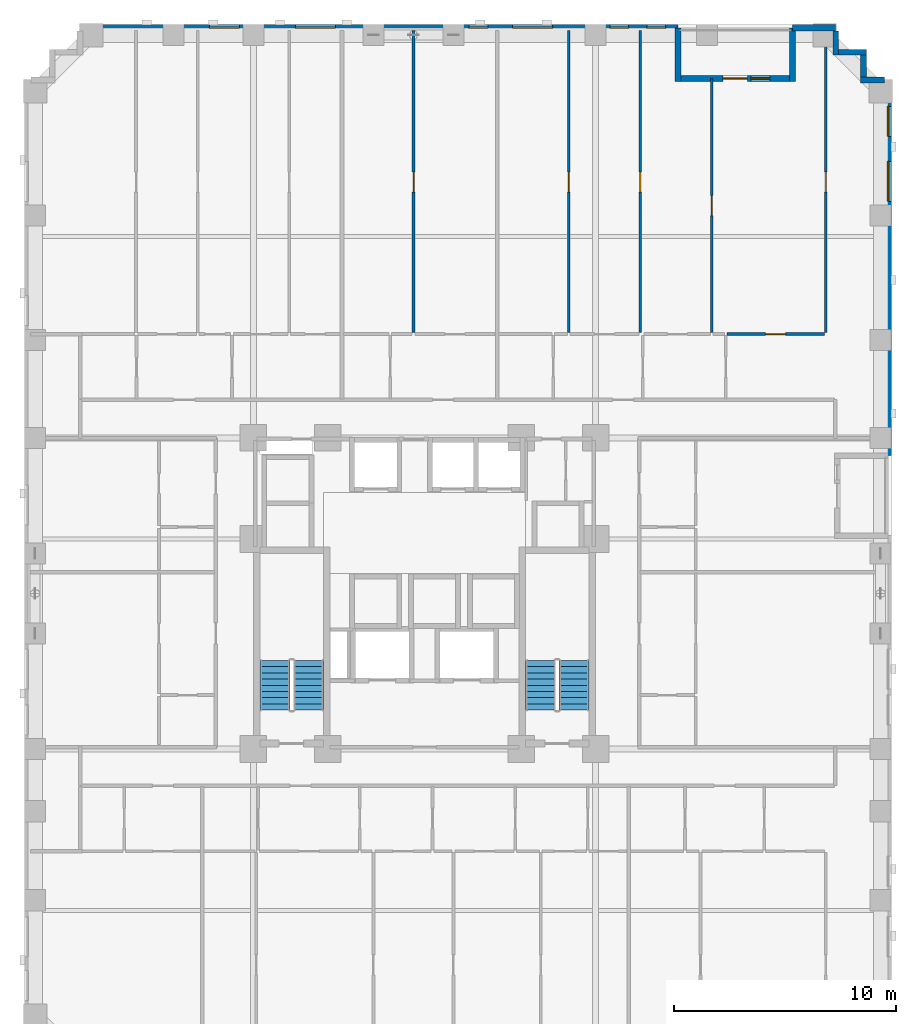
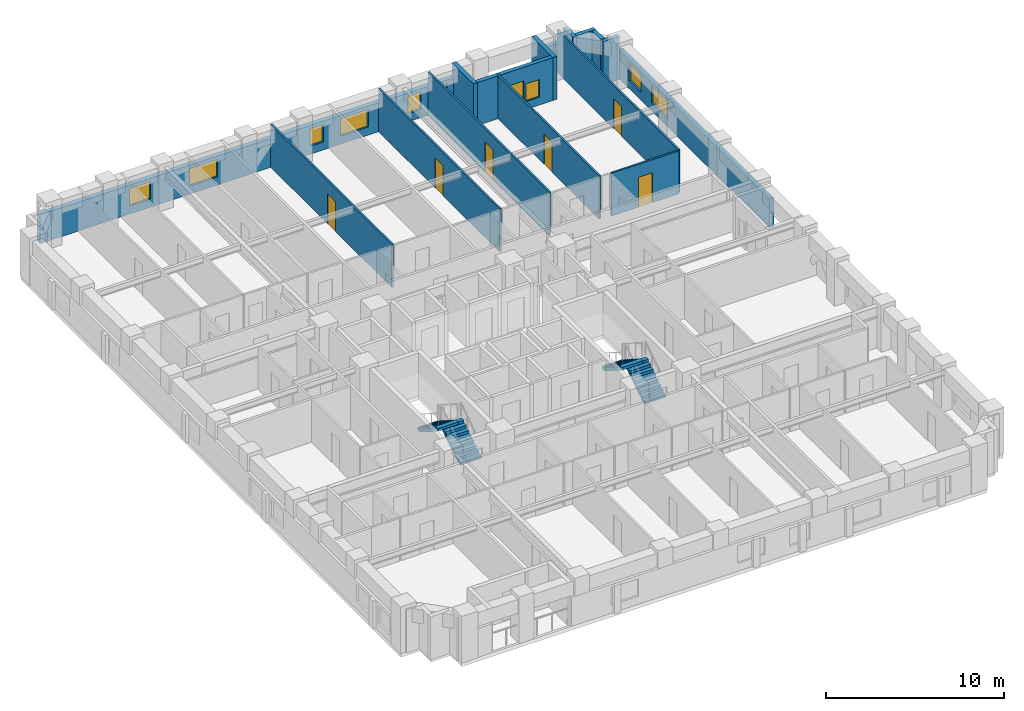
# One storey, part 8 of 13: 16 walls, 9 windows, 7 doors, 4 stair flights, 16 openings, 2 elements without a shape of their own.
"""IFC4 building model written with IfcOpenShell, lengths in metres."""

from ifc_helpers import new_model, si_unit, derived_unit, direction, frame, frame_2d, origin, place, context, subcontext, project, spatial, polyline, rectangle, outline, extrude, material, layer, layer_set, type_object, element, fill, aggregate, save


model = new_model("IFC4")

# Units and contexts
model_context = context("Model", 3, precision=1e-05, world=origin(), true_north=direction((0.0, 1.0)))
body_context = subcontext(model_context, "Body", "Model", "MODEL_VIEW")
ifc_project = project(units=[si_unit("LENGTHUNIT", "METRE"), si_unit("AREAUNIT", "SQUARE_METRE"), si_unit("VOLUMEUNIT", "CUBIC_METRE"), si_unit("PLANEANGLEUNIT", "RADIAN"), si_unit("MASSUNIT", "GRAM", prefix="KILO"), derived_unit("THERMALTRANSMITTANCEUNIT", [(si_unit("MASSUNIT", "GRAM", prefix="KILO"), 1), (si_unit("TIMEUNIT", "SECOND"), -3), (si_unit("THERMODYNAMICTEMPERATUREUNIT", "KELVIN"), -1)])], contexts=[model_context])

# Site, building, storey
site_placement = place(None, origin())
site = spatial("IfcSite", under=ifc_project, at=site_placement, CompositionType="ELEMENT")
building_placement = place(site_placement, origin())
building = spatial("IfcBuilding", under=site, at=building_placement, Name="Korrvale Station Residences", CompositionType="ELEMENT")
storey_placement = place(building_placement, frame((0.0, 0.0, 35.39990234375)))
storey = spatial("IfcBuildingStorey", under=building, at=storey_placement, Name="L08", CompositionType="ELEMENT", Elevation=35.39990234375)

# Wall
ifc_material_1 = material(Name="Precast concrete C45/55", Category="concrete")
ifc_layer_1 = layer(ifc_material_1, 0.260009765625, Name="Precast concrete C45/55")
ifc_layer_set_1 = layer_set([ifc_layer_1], Name="Precast concrete C45/55")
wall_type_1 = type_object("IfcWallType", Name="WAL-EXT-LOG260", PredefinedType="SOLIDWALL", material=ifc_layer_set_1)
wall_1_placement = place(storey_placement, frame((36.89990234375, 47.43994140625, 0.0), z_axis=(0.0, 0.0, 1.0), x_axis=(0.0, -1.0, 0.0)))
element("IfcWall", 1, at=wall_1_placement, inside=storey, type_object=wall_type_1, Name="L08 Recessed Loggia Wall BAL-L08-N1-L", PredefinedType="SOLIDWALL", context=body_context, shape_type="SweptSolid", body=[
    extrude(rectangle(XDim=2.39990234375, YDim=0.260009765625, at=frame_2d((1.199951171875, 0.0))), origin(), (0.0, 0.0, 1.0), 2.940185546875),
])

# Wall, openings, door, window
wall_2_placement = place(storey_placement, frame((37.033935546875, 45.169921875, 0.0), z_axis=(0.0, 0.0, 1.0), x_axis=(1.0, 0.0, 0.0)))
wall_2 = element("IfcWall", 2, at=wall_2_placement, inside=storey, type_object=wall_type_1, Name="L08 Recessed Loggia Wall BAL-L08-N1-B", PredefinedType="SOLIDWALL", context=body_context, shape_type="SweptSolid", body=[
    extrude(rectangle(XDim=4.882080078125, YDim=0.260009765625, at=frame_2d((2.44091796875, 0.0))), origin(), (0.0, 0.0, 1.0), 2.940185546875),
])
opening_1_placement = place(wall_2_placement, frame((1.89111328125, 0.0, 0.0)))
opening_1 = element("IfcOpeningElement", 3, at=opening_1_placement, cuts=wall_2, Name="Opening BD-01", PredefinedType="OPENING", context=body_context, shape_type="SweptSolid", body=[
    extrude(rectangle(XDim=1.10009765625, YDim=2.0, at=frame_2d((0.550048828125, 1.0))), frame((0.0, 0.14013671875, 0.0), z_axis=(0.0, -1.0, 0.0), x_axis=(1.0, 0.0, 0.0)), (0.0, 0.0, 1.0), 0.280029296875),
])
opening_2_placement = place(wall_2_placement, frame((3.15087890625, 0.0, 0.550048828125)))
opening_2 = element("IfcOpeningElement", 4, at=opening_2_placement, cuts=wall_2, Name="Opening W-11", PredefinedType="OPENING", context=body_context, shape_type="SweptSolid", body=[
    extrude(rectangle(XDim=0.85009765625, YDim=1.199951171875, at=frame_2d((0.425048828125, 0.60009765625))), frame((0.0, 0.14013671875, 0.0), z_axis=(0.0, -1.0, 0.0), x_axis=(1.0, 0.0, 0.0)), (0.0, 0.0, 1.0), 0.280029296875),
])
ifc_material_2 = material(Name="Exterior thermally broken aluminium glazed balcony door", Category="aluminium")
door_type_1 = type_object("IfcDoorType", Name="DR-EXT-BAL", OperationType="NOTDEFINED", PredefinedType="DOOR", material=ifc_material_2)
door_1_placement = place(opening_1_placement, origin())
door_1 = element("IfcDoor", 5, at=door_1_placement, inside=storey, type_object=door_type_1, Name="L08 Loggia Balcony Door BAL-L08-N1", OperationType="SINGLE_SWING_RIGHT", OverallHeight=2.0, OverallWidth=1.10009765625, PredefinedType="DOOR", context=body_context, shape_type="SweptSolid", body=[
    extrude(rectangle(XDim=1.10009765625, YDim=2.0, at=frame_2d((0.550048828125, 1.0))), frame((0.0, 0.02490234375, 0.0), z_axis=(0.0, -1.0, 0.0), x_axis=(1.0, 0.0, 0.0)), (0.0, 0.0, 1.0), 0.050048828125),
])
fill(opening_1, door_1)
ifc_material_3 = material(Name="Thermally broken aluminium frame with triple low-e glazing", Category="aluminium")
window_type_1 = type_object("IfcWindowType", Name="WIN-W11", PartitioningType="SINGLE_PANEL", PredefinedType="WINDOW", material=ifc_material_3)
window_1_placement = place(opening_2_placement, origin())
window_1 = element("IfcWindow", 6, at=window_1_placement, inside=storey, type_object=window_type_1, Name="L08 Punched Window 18", OverallHeight=1.199951171875, OverallWidth=0.85009765625, PartitioningType="SINGLE_PANEL", PredefinedType="WINDOW", context=body_context, shape_type="SweptSolid", body=[
    extrude(rectangle(XDim=0.85009765625, YDim=1.199951171875, at=frame_2d((0.425048828125, 0.60009765625))), frame((0.0, 0.030029296875, 0.0), z_axis=(0.0, -1.0, 0.0), x_axis=(1.0, 0.0, 0.0)), (0.0, 0.0, 1.0), 0.06005859375),
])
fill(opening_2, window_1)

# Walls
wall_3_placement = place(storey_placement, frame((42.050048828125, 45.0400390625, 0.0), z_axis=(0.0, 0.0, 1.0), x_axis=(0.0, 1.0, 0.0)))
element("IfcWall", 7, at=wall_3_placement, inside=storey, type_object=wall_type_1, Name="L08 Recessed Loggia Wall BAL-L08-N1-R", PredefinedType="SOLIDWALL", context=body_context, shape_type="SweptSolid", body=[
    extrude(rectangle(XDim=2.39990234375, YDim=0.260009765625, at=frame_2d((1.199951171875, 0.0))), origin(), (0.0, 0.0, 1.0), 2.940185546875),
])
wall_4_placement = place(storey_placement, frame((44.0, 47.298095703125, 0.0), z_axis=(0.0, 0.0, 1.0), x_axis=(0.0, -1.0, 0.0)))
element("IfcWall", 8, at=wall_4_placement, inside=storey, type_object=wall_type_1, Name="L08 Serrated Corner Precast Step NE-1", PredefinedType="SOLIDWALL", context=body_context, shape_type="SweptSolid", body=[
    extrude(rectangle(XDim=1.078125, YDim=0.260009765625, at=frame_2d((0.5390625, 0.0))), origin(), (0.0, 0.0, 1.0), 2.940185546875),
])
wall_5_placement = place(storey_placement, frame((44.132080078125, 46.35009765625, 0.0), z_axis=(0.0, 0.0, 1.0), x_axis=(1.0, 0.0, 0.0)))
element("IfcWall", 9, at=wall_5_placement, inside=storey, type_object=wall_type_1, Name="L08 Serrated Corner Precast Step NE-2", PredefinedType="SOLIDWALL", context=body_context, shape_type="SweptSolid", body=[
    extrude(rectangle(XDim=1.247802734375, YDim=0.260009765625, at=frame_2d((0.6240234375, 0.0))), origin(), (0.0, 0.0, 1.0), 2.940185546875),
])
wall_6_placement = place(storey_placement, frame((45.25, 46.218017578125, 0.0), z_axis=(0.0, 0.0, 1.0), x_axis=(0.0, -1.0, 0.0)))
element("IfcWall", 10, at=wall_6_placement, inside=storey, type_object=wall_type_1, Name="L08 Serrated Corner Precast Step NE-3", PredefinedType="SOLIDWALL", context=body_context, shape_type="SweptSolid", body=[
    extrude(rectangle(XDim=0.986083984375, YDim=0.260009765625, at=frame_2d((0.4931640625, 0.0))), origin(), (0.0, 0.0, 1.0), 2.940185546875),
])
wall_7_placement = place(storey_placement, frame((45.1201171875, 45.10009765625, 0.0), z_axis=(0.0, 0.0, 1.0), x_axis=(1.0, 0.0, 0.0)))
element("IfcWall", 11, at=wall_7_placement, inside=storey, type_object=wall_type_1, Name="L08 Serrated Corner Precast Step NE-4", PredefinedType="SOLIDWALL", context=body_context, shape_type="SweptSolid", body=[
    extrude(rectangle(XDim=1.077880859375, YDim=0.260009765625, at=frame_2d((0.5390625, 0.0))), origin(), (0.0, 0.0, 1.0), 2.940185546875),
])

# Wall, openings, windows
ifc_layer_2 = layer(ifc_material_1, 0.300048828125, Name="Precast concrete C45/55")
ifc_layer_set_2 = layer_set([ifc_layer_2], Name="Precast concrete C45/55")
wall_type_2 = type_object("IfcWallType", Name="WAL-EXT-PC300", PredefinedType="SOLIDWALL", material=ifc_layer_set_2)
wall_8_placement = place(storey_placement, frame((10.0, 47.449951171875, 0.0), z_axis=(0.0, 0.0, 1.0), x_axis=(1.0, 0.0, 0.0)))
wall_8 = element("IfcWall", 12, at=wall_8_placement, inside=storey, type_object=wall_type_2, Name="L08 North Exterior Precast Wall 1", PredefinedType="SOLIDWALL", context=body_context, shape_type="SweptSolid", body=[
    extrude(rectangle(XDim=26.89990234375, YDim=0.300048828125, at=frame_2d((13.449951171875, 0.0))), origin(), (0.0, 0.0, 1.0), 1.97509765625),
])
opening_3_placement = place(wall_8_placement, frame((5.81494140625, 0.0, 0.550048828125)))
opening_3 = element("IfcOpeningElement", 13, at=opening_3_placement, cuts=wall_8, Name="Opening W-10", PredefinedType="OPENING", context=body_context, shape_type="SweptSolid", body=[
    extrude(rectangle(XDim=1.35009765625, YDim=1.199951171875, at=frame_2d((0.675048828125, 0.60009765625))), frame((0.0, 0.16015625, 0.0), z_axis=(0.0, -1.0, 0.0), x_axis=(1.0, 0.0, 0.0)), (0.0, 0.0, 1.0), 0.320068359375),
])
opening_4_placement = place(wall_8_placement, frame((9.694091796875, 0.0, 0.550048828125)))
opening_4 = element("IfcOpeningElement", 14, at=opening_4_placement, cuts=wall_8, Name="Opening W-09", PredefinedType="OPENING", context=body_context, shape_type="SweptSolid", body=[
    extrude(rectangle(XDim=1.800048828125, YDim=1.199951171875, at=frame_2d((0.89990234375, 0.60009765625))), frame((0.0, 0.16015625, 0.0), z_axis=(0.0, -1.0, 0.0), x_axis=(1.0, 0.0, 0.0)), (0.0, 0.0, 1.0), 0.320068359375),
])
opening_5_placement = place(wall_8_placement, frame((17.5, 0.0, 0.550048828125)))
opening_5 = element("IfcOpeningElement", 15, at=opening_5_placement, cuts=wall_8, Name="Opening W-11", PredefinedType="OPENING", context=body_context, shape_type="SweptSolid", body=[
    extrude(rectangle(XDim=0.85009765625, YDim=1.199951171875, at=frame_2d((0.425048828125, 0.60009765625))), frame((0.0, 0.16015625, 0.0), z_axis=(0.0, -1.0, 0.0), x_axis=(1.0, 0.0, 0.0)), (0.0, 0.0, 1.0), 0.320068359375),
])
opening_6_placement = place(wall_8_placement, frame((19.462890625, 0.0, 0.550048828125)))
opening_6 = element("IfcOpeningElement", 16, at=opening_6_placement, cuts=wall_8, Name="Opening W-09", PredefinedType="OPENING", context=body_context, shape_type="SweptSolid", body=[
    extrude(rectangle(XDim=1.800048828125, YDim=1.199951171875, at=frame_2d((0.89990234375, 0.60009765625))), frame((0.0, 0.16015625, 0.0), z_axis=(0.0, -1.0, 0.0), x_axis=(1.0, 0.0, 0.0)), (0.0, 0.0, 1.0), 0.320068359375),
])
opening_7_placement = place(wall_8_placement, frame((23.8349609375, 0.0, 0.550048828125)))
opening_7 = element("IfcOpeningElement", 17, at=opening_7_placement, cuts=wall_8, Name="Opening W-11", PredefinedType="OPENING", context=body_context, shape_type="SweptSolid", body=[
    extrude(rectangle(XDim=0.85009765625, YDim=1.199951171875, at=frame_2d((0.425048828125, 0.60009765625))), frame((0.0, 0.16015625, 0.0), z_axis=(0.0, -1.0, 0.0), x_axis=(1.0, 0.0, 0.0)), (0.0, 0.0, 1.0), 0.320068359375),
])
opening_8_placement = place(wall_8_placement, frame((25.498046875, 0.0, 0.550048828125)))
opening_8 = element("IfcOpeningElement", 18, at=opening_8_placement, cuts=wall_8, Name="Opening W-11", PredefinedType="OPENING", context=body_context, shape_type="SweptSolid", body=[
    extrude(rectangle(XDim=0.85009765625, YDim=1.199951171875, at=frame_2d((0.425048828125, 0.60009765625))), frame((0.0, 0.16015625, 0.0), z_axis=(0.0, -1.0, 0.0), x_axis=(1.0, 0.0, 0.0)), (0.0, 0.0, 1.0), 0.320068359375),
])
window_type_2 = type_object("IfcWindowType", Name="WIN-W09", PartitioningType="DOUBLE_PANEL_VERTICAL", PredefinedType="WINDOW", material=ifc_material_3)
window_2_placement = place(opening_4_placement, origin())
window_2 = element("IfcWindow", 19, at=window_2_placement, inside=storey, type_object=window_type_2, Name="L08 Punched Window 13", OverallHeight=1.199951171875, OverallWidth=1.800048828125, PartitioningType="DOUBLE_PANEL_VERTICAL", PredefinedType="WINDOW", context=body_context, shape_type="SweptSolid", body=[
    extrude(rectangle(XDim=1.800048828125, YDim=1.199951171875, at=frame_2d((0.89990234375, 0.60009765625))), frame((0.0, 0.030029296875, 0.0), z_axis=(0.0, -1.0, 0.0), x_axis=(1.0, 0.0, 0.0)), (0.0, 0.0, 1.0), 0.06005859375),
])
fill(opening_4, window_2)
window_3_placement = place(opening_6_placement, origin())
window_3 = element("IfcWindow", 20, at=window_3_placement, inside=storey, type_object=window_type_2, Name="L08 Punched Window 15", OverallHeight=1.199951171875, OverallWidth=1.800048828125, PartitioningType="DOUBLE_PANEL_VERTICAL", PredefinedType="WINDOW", context=body_context, shape_type="SweptSolid", body=[
    extrude(rectangle(XDim=1.800048828125, YDim=1.199951171875, at=frame_2d((0.89990234375, 0.60009765625))), frame((0.0, 0.030029296875, 0.0), z_axis=(0.0, -1.0, 0.0), x_axis=(1.0, 0.0, 0.0)), (0.0, 0.0, 1.0), 0.06005859375),
])
fill(opening_6, window_3)
window_type_3 = type_object("IfcWindowType", Name="WIN-W10", PartitioningType="SINGLE_PANEL", PredefinedType="WINDOW", material=ifc_material_3)
window_4_placement = place(opening_3_placement, origin())
window_4 = element("IfcWindow", 21, at=window_4_placement, inside=storey, type_object=window_type_3, Name="L08 Punched Window 12", OverallHeight=1.199951171875, OverallWidth=1.35009765625, PartitioningType="SINGLE_PANEL", PredefinedType="WINDOW", context=body_context, shape_type="SweptSolid", body=[
    extrude(rectangle(XDim=1.35009765625, YDim=1.199951171875, at=frame_2d((0.675048828125, 0.60009765625))), frame((0.0, 0.030029296875, 0.0), z_axis=(0.0, -1.0, 0.0), x_axis=(1.0, 0.0, 0.0)), (0.0, 0.0, 1.0), 0.06005859375),
])
fill(opening_3, window_4)
window_5_placement = place(opening_5_placement, origin())
window_5 = element("IfcWindow", 22, at=window_5_placement, inside=storey, type_object=window_type_1, Name="L08 Punched Window 14", OverallHeight=1.199951171875, OverallWidth=0.85009765625, PartitioningType="SINGLE_PANEL", PredefinedType="WINDOW", context=body_context, shape_type="SweptSolid", body=[
    extrude(rectangle(XDim=0.85009765625, YDim=1.199951171875, at=frame_2d((0.425048828125, 0.60009765625))), frame((0.0, 0.030029296875, 0.0), z_axis=(0.0, -1.0, 0.0), x_axis=(1.0, 0.0, 0.0)), (0.0, 0.0, 1.0), 0.06005859375),
])
fill(opening_5, window_5)
window_6_placement = place(opening_7_placement, origin())
window_6 = element("IfcWindow", 23, at=window_6_placement, inside=storey, type_object=window_type_1, Name="L08 Punched Window 16", OverallHeight=1.199951171875, OverallWidth=0.85009765625, PartitioningType="SINGLE_PANEL", PredefinedType="WINDOW", context=body_context, shape_type="SweptSolid", body=[
    extrude(rectangle(XDim=0.85009765625, YDim=1.199951171875, at=frame_2d((0.425048828125, 0.60009765625))), frame((0.0, 0.030029296875, 0.0), z_axis=(0.0, -1.0, 0.0), x_axis=(1.0, 0.0, 0.0)), (0.0, 0.0, 1.0), 0.06005859375),
])
fill(opening_7, window_6)
window_7_placement = place(opening_8_placement, origin())
window_7 = element("IfcWindow", 24, at=window_7_placement, inside=storey, type_object=window_type_1, Name="L08 Punched Window 17", OverallHeight=1.199951171875, OverallWidth=0.85009765625, PartitioningType="SINGLE_PANEL", PredefinedType="WINDOW", context=body_context, shape_type="SweptSolid", body=[
    extrude(rectangle(XDim=0.85009765625, YDim=1.199951171875, at=frame_2d((0.425048828125, 0.60009765625))), frame((0.0, 0.030029296875, 0.0), z_axis=(0.0, -1.0, 0.0), x_axis=(1.0, 0.0, 0.0)), (0.0, 0.0, 1.0), 0.06005859375),
])
fill(opening_8, window_7)

# Wall
wall_9_placement = place(storey_placement, frame((42.050048828125, 47.449951171875, 0.0), z_axis=(0.0, 0.0, 1.0), x_axis=(1.0, 0.0, 0.0)))
element("IfcWall", 25, at=wall_9_placement, inside=storey, type_object=wall_type_2, Name="L08 North Exterior Precast Wall 2", PredefinedType="SOLIDWALL", context=body_context, shape_type="SweptSolid", body=[
    extrude(rectangle(XDim=1.949951171875, YDim=0.300048828125, at=frame_2d((0.97509765625, 0.0))), origin(), (0.0, 0.0, 1.0), 1.97509765625),
])

# Wall, openings, windows
wall_10_placement = place(storey_placement, frame((46.35009765625, 45.10009765625, 0.0), z_axis=(0.0, 0.0, 1.0), x_axis=(0.0, -1.0, 0.0)))
wall_10 = element("IfcWall", 26, at=wall_10_placement, inside=storey, type_object=wall_type_2, Name="L08 East Exterior Precast Wall 1", PredefinedType="SOLIDWALL", context=body_context, shape_type="SweptSolid", body=[
    extrude(rectangle(XDim=16.900146484375, YDim=0.300048828125, at=frame_2d((8.4501953125, 0.0))), origin(), (0.0, 0.0, 1.0), 1.97509765625),
])
opening_9_placement = place(wall_10_placement, frame((3.6650390625, 0.0, 0.550048828125)))
opening_9 = element("IfcOpeningElement", 27, at=opening_9_placement, cuts=wall_10, Name="Opening W-09", PredefinedType="OPENING", context=body_context, shape_type="SweptSolid", body=[
    extrude(rectangle(XDim=1.800048828125, YDim=1.199951171875, at=frame_2d((0.89990234375, 0.60009765625))), frame((0.0, 0.16015625, 0.0), z_axis=(0.0, -1.0, 0.0), x_axis=(1.0, 0.0, 0.0)), (0.0, 0.0, 1.0), 0.320068359375),
])
opening_10_placement = place(wall_10_placement, frame((1.18505859375, 0.0, 0.550048828125)))
opening_10 = element("IfcOpeningElement", 28, at=opening_10_placement, cuts=wall_10, Name="Opening W-10", PredefinedType="OPENING", context=body_context, shape_type="SweptSolid", body=[
    extrude(rectangle(XDim=1.35009765625, YDim=1.199951171875, at=frame_2d((0.675048828125, 0.60009765625))), frame((0.0, 0.16015625, 0.0), z_axis=(0.0, -1.0, 0.0), x_axis=(1.0, 0.0, 0.0)), (0.0, 0.0, 1.0), 0.320068359375),
])
window_8_placement = place(opening_9_placement, origin())
window_8 = element("IfcWindow", 29, at=window_8_placement, inside=storey, type_object=window_type_2, Name="L08 Punched Window 19", OverallHeight=1.199951171875, OverallWidth=1.800048828125, PartitioningType="DOUBLE_PANEL_VERTICAL", PredefinedType="WINDOW", context=body_context, shape_type="SweptSolid", body=[
    extrude(rectangle(XDim=1.800048828125, YDim=1.199951171875, at=frame_2d((0.89990234375, 0.60009765625))), frame((0.0, 0.030029296875, 0.0), z_axis=(0.0, -1.0, 0.0), x_axis=(1.0, 0.0, 0.0)), (0.0, 0.0, 1.0), 0.06005859375),
])
fill(opening_9, window_8)
window_9_placement = place(opening_10_placement, origin())
window_9 = element("IfcWindow", 30, at=window_9_placement, inside=storey, type_object=window_type_3, Name="L08 Punched Window 20", OverallHeight=1.199951171875, OverallWidth=1.35009765625, PartitioningType="SINGLE_PANEL", PredefinedType="WINDOW", context=body_context, shape_type="SweptSolid", body=[
    extrude(rectangle(XDim=1.35009765625, YDim=1.199951171875, at=frame_2d((0.675048828125, 0.60009765625))), frame((0.0, 0.030029296875, 0.0), z_axis=(0.0, -1.0, 0.0), x_axis=(1.0, 0.0, 0.0)), (0.0, 0.0, 1.0), 0.06005859375),
])
fill(opening_10, window_9)

# Wall, opening, door
ifc_material_4 = material(Name="Acoustic steel-stud gypsum board partition", Category="steel")
ifc_layer_3 = layer(ifc_material_4, 0.1201171875, Name="Acoustic steel-stud gypsum board partition")
ifc_layer_set_3 = layer_set([ifc_layer_3], Name="Acoustic steel-stud gypsum board partition")
wall_type_3 = type_object("IfcWallType", Name="WAL-PART-125", PredefinedType="PARTITIONING", material=ifc_layer_set_3)
wall_11_placement = place(storey_placement, frame((25.006103515625, 33.72998046875, 0.0), z_axis=(0.0, 0.0, 1.0), x_axis=(0.0, 1.0, 0.0)))
wall_11 = element("IfcWall", 31, at=wall_11_placement, inside=storey, type_object=wall_type_3, Name="L08 Suite Partition U05-V23", PredefinedType="PARTITIONING", context=body_context, shape_type="SweptSolid", body=[
    extrude(rectangle(XDim=13.590087890625, YDim=0.1201171875, at=frame_2d((6.794921875, 0.0))), origin(), (0.0, 0.0, 1.0), 2.940185546875),
])
opening_11_placement = place(wall_11_placement, frame((6.330078125, 0.0, 0.0)))
opening_11 = element("IfcOpeningElement", 32, at=opening_11_placement, cuts=wall_11, Name="Opening DI-900", PredefinedType="OPENING", context=body_context, shape_type="SweptSolid", body=[
    extrude(rectangle(XDim=0.89990234375, YDim=2.050048828125, at=frame_2d((0.449951171875, 1.02490234375))), frame((0.0, 0.070068359375, 0.0), z_axis=(0.0, -1.0, 0.0), x_axis=(1.0, 0.0, 0.0)), (0.0, 0.0, 1.0), 0.14013671875),
])
ifc_material_5 = material(Name="Painted solid-core timber interior room door", Category="wood")
door_type_2 = type_object("IfcDoorType", Name="DR-INT-900", OperationType="NOTDEFINED", PredefinedType="DOOR", material=ifc_material_5)
door_2_placement = place(opening_11_placement, origin())
door_2 = element("IfcDoor", 33, at=door_2_placement, inside=storey, type_object=door_type_2, Name="L08 Studio Apartment L08-U05 Walk-In Wardrobe Door", OperationType="SINGLE_SWING_LEFT", OverallHeight=2.050048828125, OverallWidth=0.89990234375, PredefinedType="DOOR", context=body_context, shape_type="SweptSolid", body=[
    extrude(rectangle(XDim=0.89990234375, YDim=2.050048828125, at=frame_2d((0.449951171875, 1.02490234375))), frame((0.0, 0.02490234375, 0.0), z_axis=(0.0, -1.0, 0.0), x_axis=(1.0, 0.0, 0.0)), (0.0, 0.0, 1.0), 0.050048828125),
])
fill(opening_11, door_2)

wall_12_placement = place(storey_placement, frame((39.10400390625, 33.669921875, 0.0), z_axis=(0.0, 0.0, 1.0), x_axis=(1.0, 0.0, 0.0)))
wall_12 = element("IfcWall", 34, at=wall_12_placement, inside=storey, type_object=wall_type_3, Name="L08 Suite Partition U06-H37", PredefinedType="PARTITIONING", context=body_context, shape_type="SweptSolid", body=[
    extrude(rectangle(XDim=4.385986328125, YDim=0.1201171875, at=frame_2d((2.19287109375, 0.0))), origin(), (0.0, 0.0, 1.0), 2.940185546875),
])
opening_12_placement = place(wall_12_placement, frame((1.742919921875, 0.0, 0.0)))
opening_12 = element("IfcOpeningElement", 35, at=opening_12_placement, cuts=wall_12, Name="Opening DI-900", PredefinedType="OPENING", context=body_context, shape_type="SweptSolid", body=[
    extrude(rectangle(XDim=0.89990234375, YDim=2.050048828125, at=frame_2d((0.449951171875, 1.02490234375))), frame((0.0, 0.070068359375, 0.0), z_axis=(0.0, -1.0, 0.0), x_axis=(1.0, 0.0, 0.0)), (0.0, 0.0, 1.0), 0.14013671875),
])
door_3_placement = place(opening_12_placement, origin())
door_3 = element("IfcDoor", 36, at=door_3_placement, inside=storey, type_object=door_type_2, Name="L08 Studio Apartment L08-U06 Storage Closet 2 Door", OperationType="SINGLE_SWING_LEFT", OverallHeight=2.050048828125, OverallWidth=0.89990234375, PredefinedType="DOOR", context=body_context, shape_type="SweptSolid", body=[
    extrude(rectangle(XDim=0.89990234375, YDim=2.050048828125, at=frame_2d((0.449951171875, 1.02490234375))), frame((0.0, 0.02490234375, 0.0), z_axis=(0.0, -1.0, 0.0), x_axis=(1.0, 0.0, 0.0)), (0.0, 0.0, 1.0), 0.050048828125),
])
fill(opening_12, door_3)

wall_13_placement = place(storey_placement, frame((31.98388671875, 33.72998046875, 0.0), z_axis=(0.0, 0.0, 1.0), x_axis=(0.0, 1.0, 0.0)))
wall_13 = element("IfcWall", 37, at=wall_13_placement, inside=storey, type_object=wall_type_3, Name="L08 Suite Partition U06-V45", PredefinedType="PARTITIONING", context=body_context, shape_type="SweptSolid", body=[
    extrude(rectangle(XDim=13.590087890625, YDim=0.1201171875, at=frame_2d((6.794921875, 0.0))), origin(), (0.0, 0.0, 1.0), 2.940185546875),
])
opening_13_placement = place(wall_13_placement, frame((6.330078125, 0.0, 0.0)))
opening_13 = element("IfcOpeningElement", 38, at=opening_13_placement, cuts=wall_13, Name="Opening DI-900", PredefinedType="OPENING", context=body_context, shape_type="SweptSolid", body=[
    extrude(rectangle(XDim=0.89990234375, YDim=2.050048828125, at=frame_2d((0.449951171875, 1.02490234375))), frame((0.0, 0.070068359375, 0.0), z_axis=(0.0, -1.0, 0.0), x_axis=(1.0, 0.0, 0.0)), (0.0, 0.0, 1.0), 0.14013671875),
])
door_4_placement = place(opening_13_placement, origin())
door_4 = element("IfcDoor", 39, at=door_4_placement, inside=storey, type_object=door_type_2, Name="L08 Studio Apartment L08-U06 Walk-In Wardrobe Door", OperationType="SINGLE_SWING_RIGHT", OverallHeight=2.050048828125, OverallWidth=0.89990234375, PredefinedType="DOOR", context=body_context, shape_type="SweptSolid", body=[
    extrude(rectangle(XDim=0.89990234375, YDim=2.050048828125, at=frame_2d((0.449951171875, 1.02490234375))), frame((0.0, 0.02490234375, 0.0), z_axis=(0.0, -1.0, 0.0), x_axis=(1.0, 0.0, 0.0)), (0.0, 0.0, 1.0), 0.050048828125),
])
fill(opening_13, door_4)

wall_14_placement = place(storey_placement, frame((35.2041015625, 33.72998046875, 0.0), z_axis=(0.0, 0.0, 1.0), x_axis=(0.0, 1.0, 0.0)))
wall_14 = element("IfcWall", 40, at=wall_14_placement, inside=storey, type_object=wall_type_3, Name="L08 Suite Partition U06-V56", PredefinedType="PARTITIONING", context=body_context, shape_type="SweptSolid", body=[
    extrude(rectangle(XDim=13.590087890625, YDim=0.1201171875, at=frame_2d((6.794921875, 0.0))), origin(), (0.0, 0.0, 1.0), 2.940185546875),
])
opening_14_placement = place(wall_14_placement, frame((6.330078125, 0.0, 0.0)))
opening_14 = element("IfcOpeningElement", 41, at=opening_14_placement, cuts=wall_14, Name="Opening DI-900", PredefinedType="OPENING", context=body_context, shape_type="SweptSolid", body=[
    extrude(rectangle(XDim=0.89990234375, YDim=2.050048828125, at=frame_2d((0.449951171875, 1.02490234375))), frame((0.0, 0.070068359375, 0.0), z_axis=(0.0, -1.0, 0.0), x_axis=(1.0, 0.0, 0.0)), (0.0, 0.0, 1.0), 0.14013671875),
])
door_5_placement = place(opening_14_placement, origin())
door_5 = element("IfcDoor", 42, at=door_5_placement, inside=storey, type_object=door_type_2, Name="L08 Studio Apartment L08-U06 Walk-In Wardrobe Door", OperationType="SINGLE_SWING_LEFT", OverallHeight=2.050048828125, OverallWidth=0.89990234375, PredefinedType="DOOR", context=body_context, shape_type="SweptSolid", body=[
    extrude(rectangle(XDim=0.89990234375, YDim=2.050048828125, at=frame_2d((0.449951171875, 1.02490234375))), frame((0.0, 0.02490234375, 0.0), z_axis=(0.0, -1.0, 0.0), x_axis=(1.0, 0.0, 0.0)), (0.0, 0.0, 1.0), 0.050048828125),
])
fill(opening_14, door_5)

wall_15_placement = place(storey_placement, frame((38.424072265625, 33.72998046875, 0.0), z_axis=(0.0, 0.0, 1.0), x_axis=(0.0, 1.0, 0.0)))
wall_15 = element("IfcWall", 43, at=wall_15_placement, inside=storey, type_object=wall_type_3, Name="L08 Suite Partition U06-V67", PredefinedType="PARTITIONING", context=body_context, shape_type="SweptSolid", body=[
    extrude(rectangle(XDim=11.43994140625, YDim=0.1201171875, at=frame_2d((5.719970703125, 0.0))), origin(), (0.0, 0.0, 1.0), 2.940185546875),
])
opening_15_placement = place(wall_15_placement, frame((5.27001953125, 0.0, 0.0)))
opening_15 = element("IfcOpeningElement", 44, at=opening_15_placement, cuts=wall_15, Name="Opening DI-900", PredefinedType="OPENING", context=body_context, shape_type="SweptSolid", body=[
    extrude(rectangle(XDim=0.89990234375, YDim=2.050048828125, at=frame_2d((0.449951171875, 1.02490234375))), frame((0.0, 0.070068359375, 0.0), z_axis=(0.0, -1.0, 0.0), x_axis=(1.0, 0.0, 0.0)), (0.0, 0.0, 1.0), 0.14013671875),
])
door_6_placement = place(opening_15_placement, origin())
door_6 = element("IfcDoor", 45, at=door_6_placement, inside=storey, type_object=door_type_2, Name="L08 Studio Apartment L08-U06 Walk-In Wardrobe Door", OperationType="SINGLE_SWING_RIGHT", OverallHeight=2.050048828125, OverallWidth=0.89990234375, PredefinedType="DOOR", context=body_context, shape_type="SweptSolid", body=[
    extrude(rectangle(XDim=0.89990234375, YDim=2.050048828125, at=frame_2d((0.449951171875, 1.02490234375))), frame((0.0, 0.02490234375, 0.0), z_axis=(0.0, -1.0, 0.0), x_axis=(1.0, 0.0, 0.0)), (0.0, 0.0, 1.0), 0.050048828125),
])
fill(opening_15, door_6)

wall_16_placement = place(storey_placement, frame((43.550048828125, 33.72998046875, 0.0), z_axis=(0.0, 0.0, 1.0), x_axis=(0.0, 1.0, 0.0)))
wall_16 = element("IfcWall", 46, at=wall_16_placement, inside=storey, type_object=wall_type_3, Name="L08 Suite Partition U06-V78", PredefinedType="PARTITIONING", context=body_context, shape_type="SweptSolid", body=[
    extrude(rectangle(XDim=13.590087890625, YDim=0.1201171875, at=frame_2d((6.794921875, 0.0))), origin(), (0.0, 0.0, 1.0), 2.940185546875),
])
opening_16_placement = place(wall_16_placement, frame((6.330078125, 0.0, 0.0)))
opening_16 = element("IfcOpeningElement", 47, at=opening_16_placement, cuts=wall_16, Name="Opening DI-900", PredefinedType="OPENING", context=body_context, shape_type="SweptSolid", body=[
    extrude(rectangle(XDim=0.89990234375, YDim=2.050048828125, at=frame_2d((0.449951171875, 1.02490234375))), frame((0.0, 0.070068359375, 0.0), z_axis=(0.0, -1.0, 0.0), x_axis=(1.0, 0.0, 0.0)), (0.0, 0.0, 1.0), 0.14013671875),
])
door_7_placement = place(opening_16_placement, origin())
door_7 = element("IfcDoor", 48, at=door_7_placement, inside=storey, type_object=door_type_2, Name="L08 Studio Apartment L08-U06 Studio Living Room Door", OperationType="SINGLE_SWING_LEFT", OverallHeight=2.050048828125, OverallWidth=0.89990234375, PredefinedType="DOOR", context=body_context, shape_type="SweptSolid", body=[
    extrude(rectangle(XDim=0.89990234375, YDim=2.050048828125, at=frame_2d((0.449951171875, 1.02490234375))), frame((0.0, 0.02490234375, 0.0), z_axis=(0.0, -1.0, 0.0), x_axis=(1.0, 0.0, 0.0)), (0.0, 0.0, 1.0), 0.050048828125),
])
fill(opening_16, door_7)

# Stair, stair flights
ifc_material_6 = material(Name="Concrete C50/60", Category="concrete")
stair_type = type_object("IfcStairType", Name="STR-DL-1350-18R-1778", PredefinedType="HALF_TURN_STAIR", material=ifc_material_6)
stair_1_placement = place(storey_placement, origin())
stair_1 = element("IfcStair", 49, at=stair_1_placement, inside=storey, type_object=stair_type, Name="L08 Exit Stair 1", PredefinedType="HALF_TURN_STAIR")
stair_flight_type = type_object("IfcStairFlightType", Name="FLT-DL-1350-18R-1778", PredefinedType="STRAIGHT", material=ifc_material_6)
stair_flight_1_placement = place(storey_placement, frame((20.27490234375, 16.75, 0.0), z_axis=(0.0, 0.0, 1.0), x_axis=(0.0, 1.0, 0.0)))
stair_flight_1 = element("IfcStairFlight", 50, at=stair_flight_1_placement, type_object=stair_flight_type, Name="ST-1 flight 1", NumberOfRisers=9, NumberOfTreads=8, PredefinedType="STRAIGHT", RiserHeight=0.177777778, TreadLength=0.28, context=body_context, shape_type="SweptSolid", body=[
    extrude(outline(polyline([(0.0, 0.0), (0.0, 0.177734375), (0.280029296875, 0.177734375), (0.280029296875, 0.35546875), (0.56005859375, 0.35546875), (0.56005859375, 0.533447265625), (0.840087890625, 0.533447265625), (0.840087890625, 0.711181640625), (1.1201171875, 0.711181640625), (1.1201171875, 0.888916015625), (1.39990234375, 0.888916015625), (1.39990234375, 1.066650390625), (1.679931640625, 1.066650390625), (1.679931640625, 1.244384765625), (1.9599609375, 1.244384765625), (1.9599609375, 1.422119140625), (2.239990234375, 1.422119140625), (2.239990234375, 1.60009765625), (2.239990234375, 1.24462890625), (0.27978515625, 0.0), (0.0, 0.0)])), frame((0.0, 0.675048828125, 0.0), z_axis=(0.0, -1.0, 0.0), x_axis=(1.0, 0.0, 0.0)), (0.0, 0.0, 1.0), 1.35009765625),
])
stair_flight_2_placement = place(storey_placement, frame((18.77490234375, 18.989990234375, 1.60009765625), z_axis=(0.0, 0.0, 1.0), x_axis=(0.0, -1.0, 0.0)))
stair_flight_2 = element("IfcStairFlight", 51, at=stair_flight_2_placement, type_object=stair_flight_type, Name="ST-1 flight 2", NumberOfRisers=9, NumberOfTreads=8, PredefinedType="STRAIGHT", RiserHeight=0.177777778, TreadLength=0.28, context=body_context, shape_type="SweptSolid", body=[
    extrude(outline(polyline([(0.0, 0.0), (0.0, 0.177734375), (0.280029296875, 0.177734375), (0.280029296875, 0.35546875), (0.56005859375, 0.35546875), (0.56005859375, 0.533447265625), (0.840087890625, 0.533447265625), (0.840087890625, 0.711181640625), (1.1201171875, 0.711181640625), (1.1201171875, 0.888916015625), (1.39990234375, 0.888916015625), (1.39990234375, 1.066650390625), (1.679931640625, 1.066650390625), (1.679931640625, 1.244384765625), (1.9599609375, 1.244384765625), (1.9599609375, 1.422119140625), (2.239990234375, 1.422119140625), (2.239990234375, 1.60009765625), (2.239990234375, 1.24462890625), (0.27978515625, 0.0), (0.0, 0.0)])), frame((0.0, 0.675048828125, 0.0), z_axis=(0.0, -1.0, 0.0), x_axis=(1.0, 0.0, 0.0)), (0.0, 0.0, 1.0), 1.35009765625),
])
aggregate(stair_1, [stair_flight_1, stair_flight_2])

stair_2_placement = place(storey_placement, origin())
stair_2 = element("IfcStair", 52, at=stair_2_placement, inside=storey, type_object=stair_type, Name="L08 Exit Stair 2", PredefinedType="HALF_TURN_STAIR")
stair_flight_3_placement = place(storey_placement, frame((32.22509765625, 16.75, 0.0), z_axis=(0.0, 0.0, 1.0), x_axis=(0.0, 1.0, 0.0)))
stair_flight_3 = element("IfcStairFlight", 53, at=stair_flight_3_placement, type_object=stair_flight_type, Name="ST-2 flight 1", NumberOfRisers=9, NumberOfTreads=8, PredefinedType="STRAIGHT", RiserHeight=0.177777778, TreadLength=0.28, context=body_context, shape_type="SweptSolid", body=[
    extrude(outline(polyline([(0.0, 0.0), (0.0, 0.177734375), (0.280029296875, 0.177734375), (0.280029296875, 0.35546875), (0.56005859375, 0.35546875), (0.56005859375, 0.533447265625), (0.840087890625, 0.533447265625), (0.840087890625, 0.711181640625), (1.1201171875, 0.711181640625), (1.1201171875, 0.888916015625), (1.39990234375, 0.888916015625), (1.39990234375, 1.066650390625), (1.679931640625, 1.066650390625), (1.679931640625, 1.244384765625), (1.9599609375, 1.244384765625), (1.9599609375, 1.422119140625), (2.239990234375, 1.422119140625), (2.239990234375, 1.60009765625), (2.239990234375, 1.24462890625), (0.27978515625, 0.0), (0.0, 0.0)])), frame((0.0, 0.675048828125, 0.0), z_axis=(0.0, -1.0, 0.0), x_axis=(1.0, 0.0, 0.0)), (0.0, 0.0, 1.0), 1.35009765625),
])
stair_flight_4_placement = place(storey_placement, frame((30.72509765625, 18.989990234375, 1.60009765625), z_axis=(0.0, 0.0, 1.0), x_axis=(0.0, -1.0, 0.0)))
stair_flight_4 = element("IfcStairFlight", 54, at=stair_flight_4_placement, type_object=stair_flight_type, Name="ST-2 flight 2", NumberOfRisers=9, NumberOfTreads=8, PredefinedType="STRAIGHT", RiserHeight=0.177777778, TreadLength=0.28, context=body_context, shape_type="SweptSolid", body=[
    extrude(outline(polyline([(0.0, 0.0), (0.0, 0.177734375), (0.280029296875, 0.177734375), (0.280029296875, 0.35546875), (0.56005859375, 0.35546875), (0.56005859375, 0.533447265625), (0.840087890625, 0.533447265625), (0.840087890625, 0.711181640625), (1.1201171875, 0.711181640625), (1.1201171875, 0.888916015625), (1.39990234375, 0.888916015625), (1.39990234375, 1.066650390625), (1.679931640625, 1.066650390625), (1.679931640625, 1.244384765625), (1.9599609375, 1.244384765625), (1.9599609375, 1.422119140625), (2.239990234375, 1.422119140625), (2.239990234375, 1.60009765625), (2.239990234375, 1.24462890625), (0.27978515625, 0.0), (0.0, 0.0)])), frame((0.0, 0.675048828125, 0.0), z_axis=(0.0, -1.0, 0.0), x_axis=(1.0, 0.0, 0.0)), (0.0, 0.0, 1.0), 1.35009765625),
])
aggregate(stair_2, [stair_flight_3, stair_flight_4])

save(model, "model.ifc")
